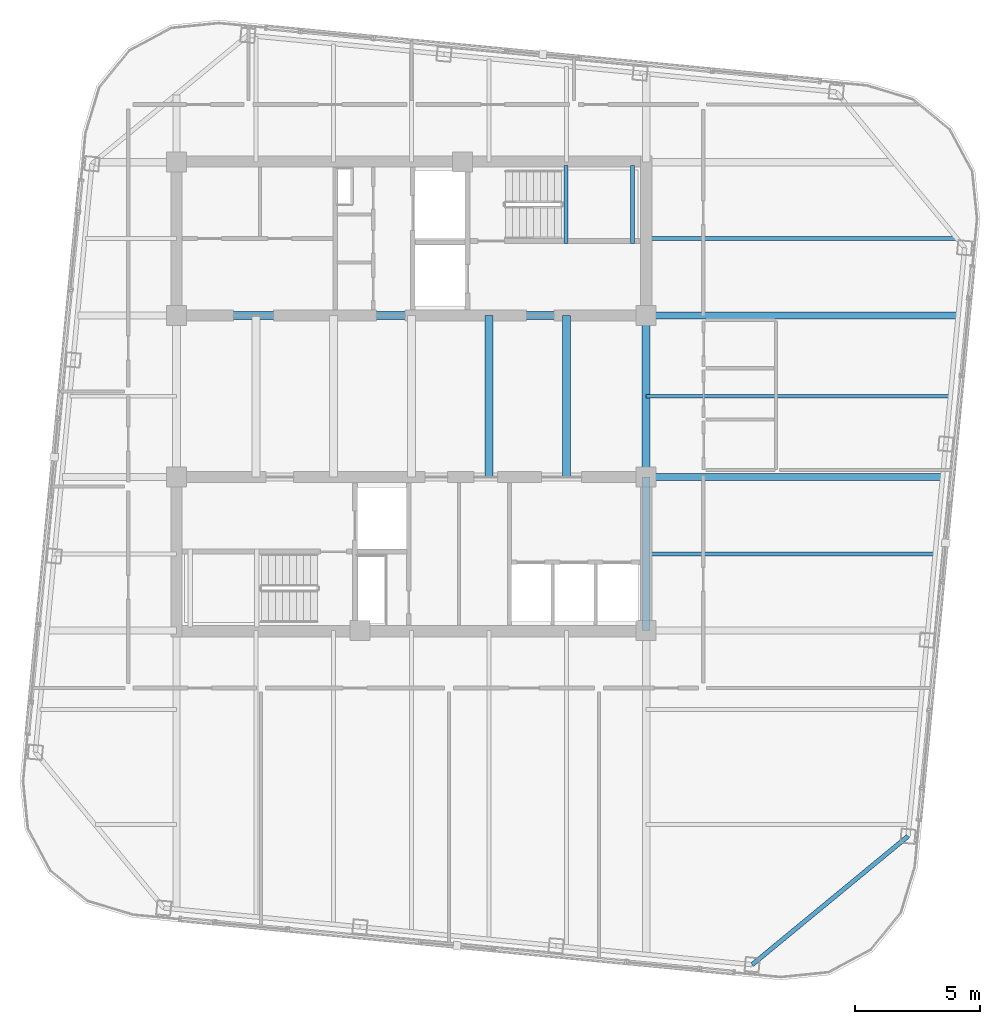
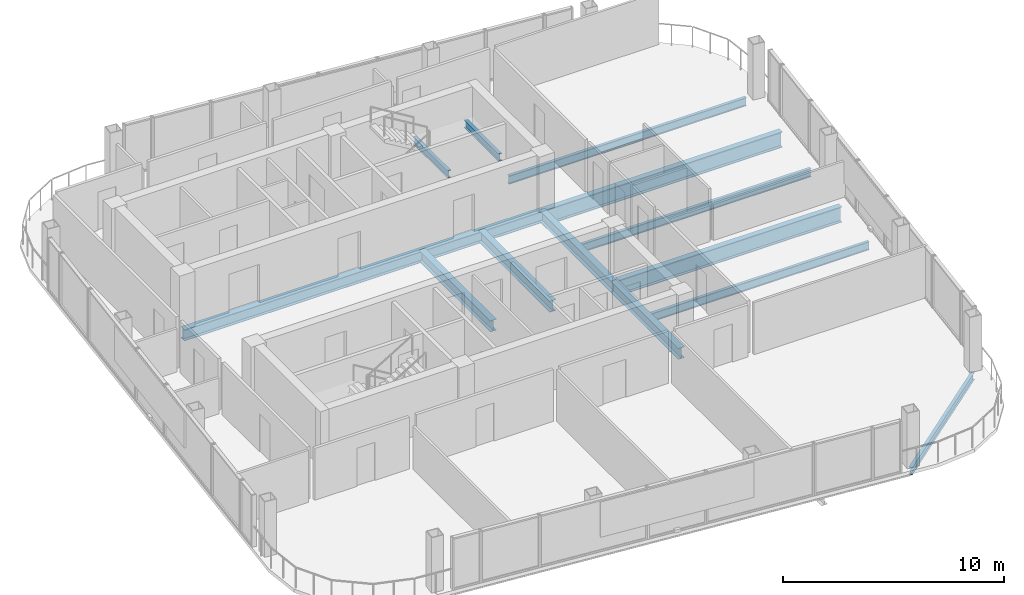
# One storey, part 10 of 23: 13 beams.
"""IFC4 building model written with IfcOpenShell, lengths in metres."""

from ifc_helpers import new_model, si_unit, direction, frame, origin, origin_2d, place, context, subcontext, project, spatial, i_section, extrude, material, material_profile, profile_set, type_object, element, save


model = new_model("IFC4")

# Units and contexts
model_context = context("Model", 3, precision=1e-05, world=origin(), true_north=direction((0.0, 1.0)))
body_context = subcontext(model_context, "Body", "Model", "MODEL_VIEW")
ifc_project = project(units=[si_unit("LENGTHUNIT", "METRE"), si_unit("AREAUNIT", "SQUARE_METRE"), si_unit("VOLUMEUNIT", "CUBIC_METRE"), si_unit("PLANEANGLEUNIT", "RADIAN"), si_unit("MASSUNIT", "GRAM", prefix="KILO")], contexts=[model_context])

# Site, building, storey
site_placement = place(None, origin())
site = spatial("IfcSite", under=ifc_project, at=site_placement, CompositionType="ELEMENT")
building_placement = place(site_placement, origin())
building = spatial("IfcBuilding", under=site, at=building_placement, Name="Qhalaya Broadcast Tower", CompositionType="ELEMENT")
storey_placement = place(building_placement, frame((0.0, 0.0, 261.14990234375)))
storey = spatial("IfcBuildingStorey", under=building, at=storey_placement, Name="L77", CompositionType="ELEMENT", Elevation=261.14990234375)

# Beams
ifc_material = material(Name="Structural Steel ASTM A992 Grade 50", Category="steel")
ifc_material_profile_1 = material_profile(ifc_material, i_section(OverallWidth=0.154052734375, OverallDepth=0.458984375, WebThickness=0.009033203125, FlangeThickness=0.015380859375, at=origin_2d()), Name="W18X46")
ifc_profile_set_1 = profile_set([ifc_material_profile_1], Name="Structural Steel ASTM A992 Grade 50")
beam_type_1 = type_object("IfcBeamType", Name="Composite Floor Joist J04", PredefinedType="JOIST", material=ifc_profile_set_1)
beam_1_placement = place(storey_placement, frame((9.375, -5.699951171875, -0.41943359375), z_axis=(1.0, 0.0, 0.0), x_axis=(0.0, 1.0, 0.0)))
element("IfcBeam", 1, at=beam_1_placement, inside=storey, type_object=beam_type_1, Name="L77 J04 L77-JWE3E-1", PredefinedType="JOIST", context=body_context, shape_type="SweptSolid", body=[
    extrude(i_section(OverallWidth=0.154052734375, OverallDepth=0.458984375, WebThickness=0.009033203125, FlangeThickness=0.015380859375, at=origin_2d()), origin(), (0.0, 0.0, 1.0), 11.517822265625),
])
beam_2_placement = place(storey_placement, frame((9.375, 0.60009765625, -0.41943359375), z_axis=(1.0, 0.0, 0.0), x_axis=(0.0, 1.0, 0.0)))
element("IfcBeam", 2, at=beam_2_placement, inside=storey, type_object=beam_type_1, Name="L77 J04 L77-JWE4E-1", PredefinedType="JOIST", context=body_context, shape_type="SweptSolid", body=[
    extrude(i_section(OverallWidth=0.154052734375, OverallDepth=0.458984375, WebThickness=0.009033203125, FlangeThickness=0.015380859375, at=origin_2d()), origin(), (0.0, 0.0, 1.0), 12.12451171875),
])
beam_3_placement = place(storey_placement, frame((9.375, 6.89990234375, -0.41943359375), z_axis=(1.0, 0.0, 0.0), x_axis=(0.0, 1.0, 0.0)))
element("IfcBeam", 3, at=beam_3_placement, inside=storey, type_object=beam_type_1, Name="L77 J04 L77-JWE5E-1", PredefinedType="JOIST", context=body_context, shape_type="SweptSolid", body=[
    extrude(i_section(OverallWidth=0.154052734375, OverallDepth=0.458984375, WebThickness=0.009033203125, FlangeThickness=0.015380859375, at=origin_2d()), origin(), (0.0, 0.0, 1.0), 12.38330078125),
])
ifc_material_profile_2 = material_profile(ifc_material, i_section(OverallWidth=0.323974609375, OverallDepth=0.612060546875, WebThickness=0.0126953125, FlangeThickness=0.01904296875, at=origin_2d()), Name="W24X104")
ifc_profile_set_2 = profile_set([ifc_material_profile_2], Name="Structural Steel ASTM A992 Grade 50")
beam_type_2 = type_object("IfcBeamType", Name="Core Frame Tie Beam B04", PredefinedType="BEAM", material=ifc_profile_set_2)
beam_4_placement = place(storey_placement, frame((-9.375, 3.824951171875, -0.495849609375), z_axis=(1.0, 0.0, 0.0), x_axis=(0.0, 1.0, 0.0)))
element("IfcBeam", 4, at=beam_4_placement, inside=storey, type_object=beam_type_2, Name="L77 B04 L77-CCN1", PredefinedType="BEAM", context=body_context, shape_type="SweptSolid", body=[
    extrude(i_section(OverallWidth=0.323974609375, OverallDepth=0.612060546875, WebThickness=0.0126953125, FlangeThickness=0.01904296875, at=origin_2d()), origin(), (0.0, 0.0, 1.0), 18.75),
])
beam_5_placement = place(storey_placement, frame((9.375, -8.75, -0.495849609375), z_axis=(0.0, 1.0, 0.0), x_axis=(-1.0, 0.0, 0.0)))
element("IfcBeam", 5, at=beam_5_placement, inside=storey, type_object=beam_type_2, Name="L77 B04 L77-CCS2", PredefinedType="BEAM", context=body_context, shape_type="SweptSolid", body=[
    extrude(i_section(OverallWidth=0.323974609375, OverallDepth=0.612060546875, WebThickness=0.0126953125, FlangeThickness=0.01904296875, at=origin_2d()), origin(), (0.0, 0.0, 1.0), 6.125),
])
for number, where, z_axis, x_axis, name in (
    (6, (9.375, -2.625, -0.495849609375), (0.0, 1.0, 0.0), (-1.0, 0.0, 0.0), "L77 B04 L77-CCE"),
    (7, (3.10009765625, -2.625, -0.495849609375), (0.0, 1.0, 0.0), (-1.0, 0.0, 0.0), "L77 B04 L77-JC4-1"),
    (8, (6.199951171875, -2.625, -0.495849609375), (0.0, 1.0, 0.0), (-1.0, 0.0, 0.0), "L77 B04 L77-JC5-1"),
):
    element("IfcBeam", number, at=place(storey_placement, frame(where, z_axis=z_axis, x_axis=x_axis)), inside=storey, type_object=beam_type_2, Name=name, PredefinedType="BEAM", context=body_context, shape_type="SweptSolid", body=[
        extrude(i_section(OverallWidth=0.323974609375, OverallDepth=0.612060546875, WebThickness=0.0126953125, FlangeThickness=0.01904296875, at=origin_2d()), origin(), (0.0, 0.0, 1.0), 6.449951171875),
    ])
ifc_material_profile_3 = material_profile(ifc_material, i_section(OverallWidth=0.2919921875, OverallDepth=0.85888671875, WebThickness=0.01708984375, FlangeThickness=0.031005859375, at=origin_2d()), Name="W33X169")
ifc_profile_set_3 = profile_set([ifc_material_profile_3], Name="Structural Steel ASTM A992 Grade 50")
beam_type_3 = type_object("IfcBeamType", Name="Upper Block Primary Girder PG4", PredefinedType="USERDEFINED", material=ifc_profile_set_3)
beam_6_placement = place(storey_placement, frame((9.375, -2.625, -0.619384765625), z_axis=(1.0, 0.0, 0.0), x_axis=(0.0, 1.0, 0.0)))
element("IfcBeam", 9, at=beam_6_placement, inside=storey, type_object=beam_type_3, Name="L77 PG4 L77-PGYE2-1", ObjectType="GIRDER", PredefinedType="USERDEFINED", context=body_context, shape_type="SweptSolid", body=[
    extrude(i_section(OverallWidth=0.2919921875, OverallDepth=0.85888671875, WebThickness=0.01708984375, FlangeThickness=0.031005859375, at=origin_2d()), origin(), (0.0, 0.0, 1.0), 11.81396484375),
])
beam_7_placement = place(storey_placement, frame((9.375, 3.824951171875, -0.619384765625), z_axis=(1.0, 0.0, 0.0), x_axis=(0.0, 1.0, 0.0)))
element("IfcBeam", 10, at=beam_7_placement, inside=storey, type_object=beam_type_3, Name="L77 PG4 L77-PGYE3-1", ObjectType="GIRDER", PredefinedType="USERDEFINED", context=body_context, shape_type="SweptSolid", body=[
    extrude(i_section(OverallWidth=0.2919921875, OverallDepth=0.85888671875, WebThickness=0.01708984375, FlangeThickness=0.031005859375, at=origin_2d()), origin(), (0.0, 0.0, 1.0), 12.43505859375),
])
ifc_material_profile_4 = material_profile(ifc_material, i_section(OverallWidth=0.177978515625, OverallDepth=0.406005859375, WebThickness=0.0078125, FlangeThickness=0.0126953125, at=origin_2d()), Name="W16X40")
ifc_profile_set_4 = profile_set([ifc_material_profile_4], Name="Structural Steel ASTM A992 Grade 50")
beam_type_4 = type_object("IfcBeamType", Name="Upper Perimeter Spandrel Beam SP2", PredefinedType="SPANDREL", material=ifc_profile_set_4)
beam_8_placement = place(storey_placement, frame((13.6083984375, -22.09033203125, -0.392822265625), z_axis=(0.771631160126, 0.636070241972, 0.0), x_axis=(-0.636070241972, 0.771631160126, 0.0)))
element("IfcBeam", 11, at=beam_8_placement, inside=storey, type_object=beam_type_4, Name="L77 SP2 L77-SPR-04", PredefinedType="SPANDREL", context=body_context, shape_type="SweptSolid", body=[
    extrude(i_section(OverallWidth=0.177978515625, OverallDepth=0.406005859375, WebThickness=0.0078125, FlangeThickness=0.0126953125, at=origin_2d()), origin(), (0.0, 0.0, 1.0), 8.06103515625),
])
for number, where, z_axis, x_axis, name in (
    (12, (6.175048828125, 6.699951171875, 1.1220703125), (0.0, 1.0, 0.0), (-1.0, 0.0, 0.0), "L77 ST-1 Half-Landing Bearer Beam 1"),
    (13, (8.830078125, 6.699951171875, 1.1220703125), (0.0, 1.0, 0.0), (-1.0, 0.0, 0.0), "L77 ST-1 Half-Landing Bearer Beam 2"),
):
    element("IfcBeam", number, at=place(storey_placement, frame(where, z_axis=z_axis, x_axis=x_axis)), inside=storey, type_object=beam_type_4, Name=name, PredefinedType="SPANDREL", context=body_context, shape_type="SweptSolid", body=[
        extrude(i_section(OverallWidth=0.177978515625, OverallDepth=0.406005859375, WebThickness=0.0078125, FlangeThickness=0.0126953125, at=origin_2d()), origin(), (0.0, 0.0, 1.0), 3.1201171875),
    ])

save(model, "model.ifc")
